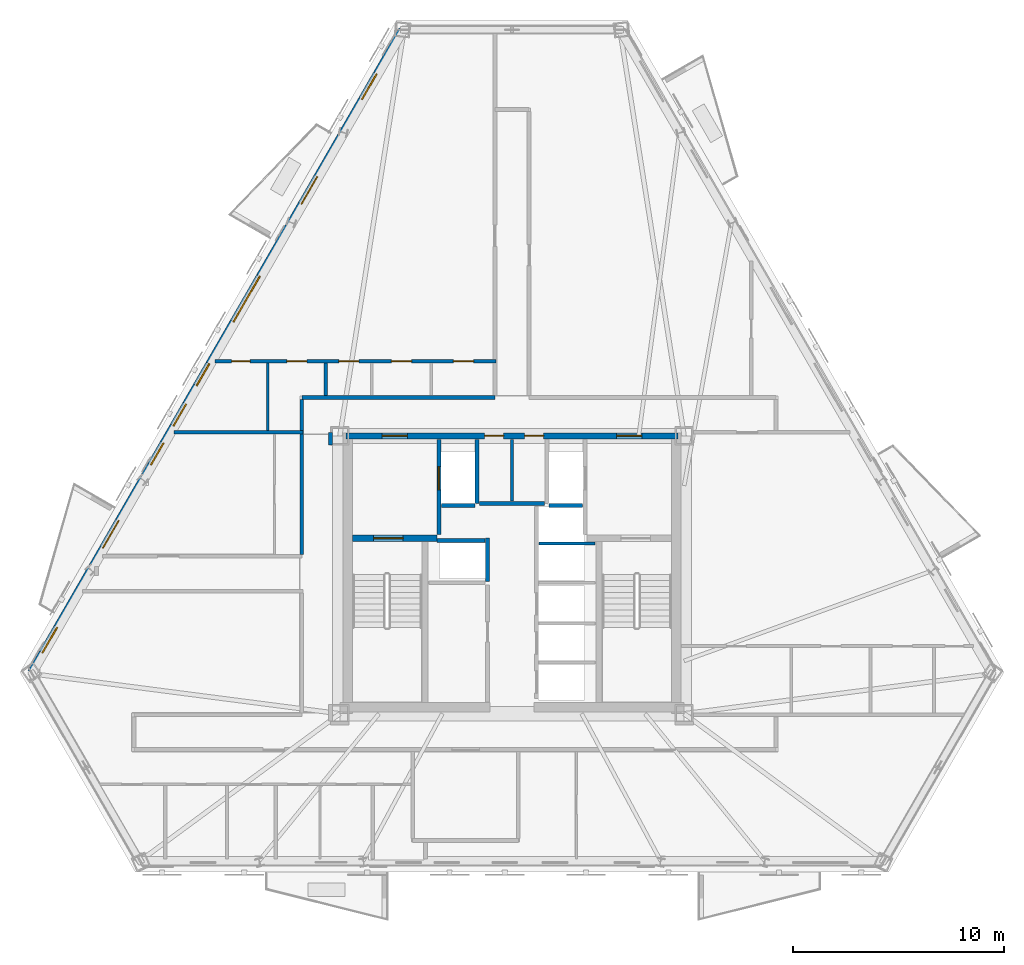
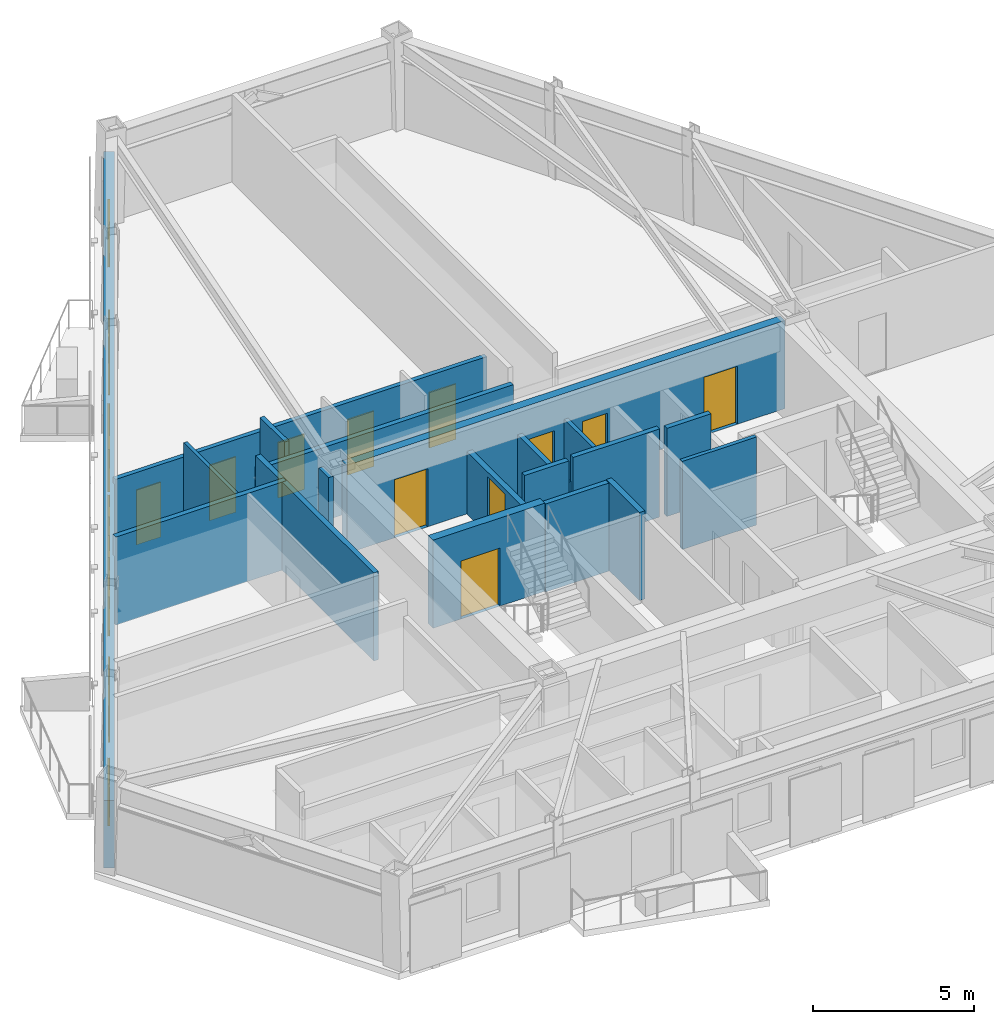
# One storey, part 4 of 9: 19 walls, 13 doors, 6 windows, 19 openings.
"""IFC4 building model written with IfcOpenShell, lengths in metres."""

from ifc_helpers import new_model, si_unit, direction, frame, frame_2d, origin, place, context, subcontext, project, spatial, rectangle, extrude, material, layer, layer_set, type_object, element, fill, save


model = new_model("IFC4")

# Units and contexts
model_context = context("Model", 3, precision=1e-05, world=origin(), true_north=direction((0.0, 1.0)))
body_context = subcontext(model_context, "Body", "Model", "MODEL_VIEW")
ifc_project = project(units=[si_unit("LENGTHUNIT", "METRE"), si_unit("AREAUNIT", "SQUARE_METRE"), si_unit("VOLUMEUNIT", "CUBIC_METRE"), si_unit("PLANEANGLEUNIT", "RADIAN"), si_unit("MASSUNIT", "GRAM", prefix="KILO")], contexts=[model_context])

# Site, building, storey
site_placement = place(None, origin())
site = spatial("IfcSite", under=ifc_project, at=site_placement, CompositionType="ELEMENT")
building_placement = place(site_placement, origin())
building = spatial("IfcBuilding", under=site, at=building_placement, Name="Oramaril Tower", CompositionType="ELEMENT")
storey_placement = place(building_placement, frame((0.0, 0.0, 130.199951171875)))
storey = spatial("IfcBuildingStorey", under=building, at=storey_placement, Name="L34", CompositionType="ELEMENT", Elevation=130.199951171875)

# Wall, openings, doors, windows
ifc_material_1 = material(Name="Warm Cream Limestone", Category="masonry")
ifc_layer_1 = layer(ifc_material_1, 0.340087890625)
ifc_layer_set_1 = layer_set([ifc_layer_1], Name="WT-EXT34")
wall_type_1 = type_object("IfcWallType", Name="WT-EXT34", PredefinedType="SOLIDWALL", material=ifc_layer_set_1)
wall_1_placement = place(storey_placement, frame((32.302734375, 43.378173828125, 0.0), z_axis=(0.0, 0.0, 1.0), x_axis=(-0.499999044439, -0.866025955477, 0.0)))
wall_1 = element("IfcWall", 1, at=wall_1_placement, inside=storey, type_object=wall_type_1, Name="L34 Tower Limestone Facade Wall 6M", PredefinedType="SOLIDWALL", context=body_context, shape_type="SweptSolid", body=[
    extrude(rectangle(XDim=35.12158203125, YDim=0.340087890625, at=frame_2d((17.560791015625, 0.0))), origin(), (0.0, 0.0, 1.0), 2.55810546875),
])
opening_1_placement = place(wall_1_placement, frame((8.034423828125, 0.0, 0.0)))
opening_1 = element("IfcOpeningElement", 2, at=opening_1_placement, cuts=wall_1, Name="Opening D-L34-BAL-NW1", PredefinedType="OPENING", context=body_context, shape_type="SweptSolid", body=[
    extrude(rectangle(XDim=1.5, YDim=2.199951171875, at=frame_2d((0.75, 1.10009765625))), frame((0.0, 0.169921875, 0.0), z_axis=(0.0, -1.0, 0.0), x_axis=(1.0, 0.0, 0.0)), (0.0, 0.0, 1.0), 0.340087890625),
])
opening_2_placement = place(wall_1_placement, frame((26.832275390625, 0.0, 0.0)))
opening_2 = element("IfcOpeningElement", 3, at=opening_2_placement, cuts=wall_1, Name="Opening D-L34-BAL-NW2", PredefinedType="OPENING", context=body_context, shape_type="SweptSolid", body=[
    extrude(rectangle(XDim=1.5, YDim=2.199951171875, at=frame_2d((0.75, 1.10009765625))), frame((0.0, 0.169921875, 0.0), z_axis=(0.0, -1.0, 0.0), x_axis=(1.0, 0.0, 0.0)), (0.0, 0.0, 1.0), 0.340087890625),
])
opening_3_placement = place(wall_1_placement, frame((32.66552734375, 0.0, 0.85009765625)))
opening_3 = element("IfcOpeningElement", 4, at=opening_3_placement, cuts=wall_1, Name="Opening WN-08", PredefinedType="OPENING", context=body_context, shape_type="SweptSolid", body=[
    extrude(rectangle(XDim=1.39990234375, YDim=1.597900390625, at=frame_2d((0.699951171875, 0.798828125))), frame((0.0, 0.169921875, 0.0), z_axis=(0.0, -1.0, 0.0), x_axis=(1.0, 0.0, 0.0)), (0.0, 0.0, 1.0), 0.340087890625),
])
opening_4_placement = place(wall_1_placement, frame((22.592529296875, 0.0, 0.85009765625)))
opening_4 = element("IfcOpeningElement", 5, at=opening_4_placement, cuts=wall_1, Name="Opening WN-09", PredefinedType="OPENING", context=body_context, shape_type="SweptSolid", body=[
    extrude(rectangle(XDim=1.199951171875, YDim=1.47998046875, at=frame_2d((0.60009765625, 0.739990234375))), frame((0.0, 0.169921875, 0.0), z_axis=(0.0, -1.0, 0.0), x_axis=(1.0, 0.0, 0.0)), (0.0, 0.0, 1.0), 0.340087890625),
])
opening_5_placement = place(wall_1_placement, frame((2.41259765625, 0.0, 0.85009765625)))
opening_5 = element("IfcOpeningElement", 6, at=opening_5_placement, cuts=wall_1, Name="Opening WN-08", PredefinedType="OPENING", context=body_context, shape_type="SweptSolid", body=[
    extrude(rectangle(XDim=1.39990234375, YDim=1.597900390625, at=frame_2d((0.699951171875, 0.798828125))), frame((0.0, 0.169921875, 0.0), z_axis=(0.0, -1.0, 0.0), x_axis=(1.0, 0.0, 0.0)), (0.0, 0.0, 1.0), 0.340087890625),
])
opening_6_placement = place(wall_1_placement, frame((13.47607421875, 0.0, 0.85009765625)))
opening_6 = element("IfcOpeningElement", 7, at=opening_6_placement, cuts=wall_1, Name="Opening WN-11", PredefinedType="OPENING", context=body_context, shape_type="SweptSolid", body=[
    extrude(rectangle(XDim=2.5, YDim=1.597900390625, at=frame_2d((1.25, 0.798828125))), frame((0.0, 0.169921875, 0.0), z_axis=(0.0, -1.0, 0.0), x_axis=(1.0, 0.0, 0.0)), (0.0, 0.0, 1.0), 0.340087890625),
])
opening_7_placement = place(wall_1_placement, frame((18.25927734375, 0.0, 0.85009765625)))
opening_7 = element("IfcOpeningElement", 8, at=opening_7_placement, cuts=wall_1, Name="Opening WN-09", PredefinedType="OPENING", context=body_context, shape_type="SweptSolid", body=[
    extrude(rectangle(XDim=1.199951171875, YDim=1.47998046875, at=frame_2d((0.60009765625, 0.739990234375))), frame((0.0, 0.169921875, 0.0), z_axis=(0.0, -1.0, 0.0), x_axis=(1.0, 0.0, 0.0)), (0.0, 0.0, 1.0), 0.340087890625),
])
opening_8_placement = place(wall_1_placement, frame((20.45458984375, 0.0, 0.85009765625)))
opening_8 = element("IfcOpeningElement", 9, at=opening_8_placement, cuts=wall_1, Name="Opening WN-09", PredefinedType="OPENING", context=body_context, shape_type="SweptSolid", body=[
    extrude(rectangle(XDim=1.199951171875, YDim=1.47998046875, at=frame_2d((0.60009765625, 0.739990234375))), frame((0.0, 0.169921875, 0.0), z_axis=(0.0, -1.0, 0.0), x_axis=(1.0, 0.0, 0.0)), (0.0, 0.0, 1.0), 0.340087890625),
])
ifc_material_2 = material(Name="Anodised Aluminium 6063-T6", Category="aluminium")
door_type_1 = type_object("IfcDoorType", Name="DT-BAL", OperationType="NOTDEFINED", PredefinedType="DOOR", material=ifc_material_2)
door_1_placement = place(opening_1_placement, origin())
door_1 = element("IfcDoor", 10, at=door_1_placement, inside=storey, type_object=door_type_1, Name="L34 Balcony Glazed Door L34-BAL-NW1", OperationType="SINGLE_SWING_LEFT", OverallHeight=2.199951171875, OverallWidth=1.5, PredefinedType="DOOR", context=body_context, shape_type="SweptSolid", body=[
    extrude(rectangle(XDim=1.5, YDim=2.199951171875, at=frame_2d((0.75, 1.10009765625))), frame((0.0, 0.02490234375, 0.0), z_axis=(0.0, -1.0, 0.0), x_axis=(1.0, 0.0, 0.0)), (0.0, 0.0, 1.0), 0.050048828125),
])
fill(opening_1, door_1)
door_2_placement = place(opening_2_placement, origin())
door_2 = element("IfcDoor", 11, at=door_2_placement, inside=storey, type_object=door_type_1, Name="L34 Balcony Glazed Door L34-BAL-NW2", OperationType="SINGLE_SWING_RIGHT", OverallHeight=2.199951171875, OverallWidth=1.5, PredefinedType="DOOR", context=body_context, shape_type="SweptSolid", body=[
    extrude(rectangle(XDim=1.5, YDim=2.199951171875, at=frame_2d((0.75, 1.10009765625))), frame((0.0, 0.02490234375, 0.0), z_axis=(0.0, -1.0, 0.0), x_axis=(1.0, 0.0, 0.0)), (0.0, 0.0, 1.0), 0.050048828125),
])
fill(opening_2, door_2)
ifc_material_3 = material(Name="Coastal Low-E Insulated Glass", Category="glass")
window_type_1 = type_object("IfcWindowType", Name="WNT-08", PartitioningType="SINGLE_PANEL", PredefinedType="WINDOW", material=ifc_material_3)
window_1_placement = place(opening_3_placement, origin())
window_1 = element("IfcWindow", 12, at=window_1_placement, inside=storey, type_object=window_type_1, Name="L34 Chicago Bay Window WN-08", OverallHeight=1.597900390625, OverallWidth=1.39990234375, PartitioningType="SINGLE_PANEL", PredefinedType="WINDOW", context=body_context, shape_type="SweptSolid", body=[
    extrude(rectangle(XDim=1.39990234375, YDim=1.597900390625, at=frame_2d((0.699951171875, 0.798828125))), frame((0.0, 0.030029296875, 0.0), z_axis=(0.0, -1.0, 0.0), x_axis=(1.0, 0.0, 0.0)), (0.0, 0.0, 1.0), 0.06005859375),
])
fill(opening_3, window_1)
window_2_placement = place(opening_5_placement, origin())
window_2 = element("IfcWindow", 13, at=window_2_placement, inside=storey, type_object=window_type_1, Name="L34 Chicago Bay Window WN-08", OverallHeight=1.597900390625, OverallWidth=1.39990234375, PartitioningType="SINGLE_PANEL", PredefinedType="WINDOW", context=body_context, shape_type="SweptSolid", body=[
    extrude(rectangle(XDim=1.39990234375, YDim=1.597900390625, at=frame_2d((0.699951171875, 0.798828125))), frame((0.0, 0.030029296875, 0.0), z_axis=(0.0, -1.0, 0.0), x_axis=(1.0, 0.0, 0.0)), (0.0, 0.0, 1.0), 0.06005859375),
])
fill(opening_5, window_2)
ifc_material_4 = material(Name="Coastal Low-E Insulated Glass", Category="glass")
window_type_2 = type_object("IfcWindowType", Name="WNT-09", PartitioningType="SINGLE_PANEL", PredefinedType="WINDOW", material=ifc_material_4)
window_3_placement = place(opening_4_placement, origin())
window_3 = element("IfcWindow", 14, at=window_3_placement, inside=storey, type_object=window_type_2, Name="L34 Chicago Bay Window WN-09", OverallHeight=1.47998046875, OverallWidth=1.199951171875, PartitioningType="SINGLE_PANEL", PredefinedType="WINDOW", context=body_context, shape_type="SweptSolid", body=[
    extrude(rectangle(XDim=1.199951171875, YDim=1.47998046875, at=frame_2d((0.60009765625, 0.739990234375))), frame((0.0, 0.030029296875, 0.0), z_axis=(0.0, -1.0, 0.0), x_axis=(1.0, 0.0, 0.0)), (0.0, 0.0, 1.0), 0.06005859375),
])
fill(opening_4, window_3)
window_4_placement = place(opening_7_placement, origin())
window_4 = element("IfcWindow", 15, at=window_4_placement, inside=storey, type_object=window_type_2, Name="L34 Chicago Bay Window WN-09", OverallHeight=1.47998046875, OverallWidth=1.199951171875, PartitioningType="SINGLE_PANEL", PredefinedType="WINDOW", context=body_context, shape_type="SweptSolid", body=[
    extrude(rectangle(XDim=1.199951171875, YDim=1.47998046875, at=frame_2d((0.60009765625, 0.739990234375))), frame((0.0, 0.030029296875, 0.0), z_axis=(0.0, -1.0, 0.0), x_axis=(1.0, 0.0, 0.0)), (0.0, 0.0, 1.0), 0.06005859375),
])
fill(opening_7, window_4)
window_5_placement = place(opening_8_placement, origin())
window_5 = element("IfcWindow", 16, at=window_5_placement, inside=storey, type_object=window_type_2, Name="L34 Chicago Bay Window WN-09", OverallHeight=1.47998046875, OverallWidth=1.199951171875, PartitioningType="SINGLE_PANEL", PredefinedType="WINDOW", context=body_context, shape_type="SweptSolid", body=[
    extrude(rectangle(XDim=1.199951171875, YDim=1.47998046875, at=frame_2d((0.60009765625, 0.739990234375))), frame((0.0, 0.030029296875, 0.0), z_axis=(0.0, -1.0, 0.0), x_axis=(1.0, 0.0, 0.0)), (0.0, 0.0, 1.0), 0.06005859375),
])
fill(opening_8, window_5)
ifc_material_5 = material(Name="Coastal Low-E Insulated Glass", Category="glass")
window_type_3 = type_object("IfcWindowType", Name="WNT-11", PartitioningType="SINGLE_PANEL", PredefinedType="WINDOW", material=ifc_material_5)
window_6_placement = place(opening_6_placement, origin())
window_6 = element("IfcWindow", 17, at=window_6_placement, inside=storey, type_object=window_type_3, Name="L34 Chicago Bay Window WN-11", OverallHeight=1.597900390625, OverallWidth=2.5, PartitioningType="SINGLE_PANEL", PredefinedType="WINDOW", context=body_context, shape_type="SweptSolid", body=[
    extrude(rectangle(XDim=2.5, YDim=1.597900390625, at=frame_2d((1.25, 0.798828125))), frame((0.0, 0.030029296875, 0.0), z_axis=(0.0, -1.0, 0.0), x_axis=(1.0, 0.0, 0.0)), (0.0, 0.0, 1.0), 0.06005859375),
])
fill(opening_6, window_6)

# Walls
ifc_material_6 = material(Name="Acoustic Gypsum Board Partition")
ifc_layer_2 = layer(ifc_material_6, 0.1201171875)
ifc_layer_set_2 = layer_set([ifc_layer_2], Name="WT-PT12")
wall_type_2 = type_object("IfcWallType", Name="WT-PT12", PredefinedType="PARTITIONING", material=ifc_layer_set_2)
wall_2_placement = place(storey_placement, frame((25.93994140625, 24.4140625, 0.0), z_axis=(0.0, 0.0, 1.0), x_axis=(0.0, 1.0, 0.0)))
element("IfcWall", 18, at=wall_2_placement, inside=storey, type_object=wall_type_2, Name="L34 Interior Partition PT-12", PredefinedType="PARTITIONING", context=body_context, shape_type="SweptSolid", body=[
    extrude(rectangle(XDim=3.19189453125, YDim=0.1201171875, at=frame_2d((1.595947265625, 0.0))), origin(), (0.0, 0.0, 1.0), 3.340087890625),
])
ifc_material_7 = material(Name="Acoustic Gypsum Board Partition")
ifc_layer_3 = layer(ifc_material_7, 0.139892578125)
ifc_layer_set_3 = layer_set([ifc_layer_3], Name="WT-PT14")
wall_type_3 = type_object("IfcWallType", Name="WT-PT14", PredefinedType="PARTITIONING", material=ifc_layer_set_3)
wall_3_placement = place(storey_placement, frame((38.780029296875, 19.050048828125, 0.0), z_axis=(0.0, 0.0, 1.0), x_axis=(1.0, 0.0, 0.0)))
element("IfcWall", 19, at=wall_3_placement, inside=storey, type_object=wall_type_3, Name="L34 East Lift Divider", PredefinedType="PARTITIONING", context=body_context, shape_type="SweptSolid", body=[
    extrude(rectangle(XDim=2.659912109375, YDim=0.139892578125, at=frame_2d((1.330078125, 0.0))), origin(), (0.0, 0.0, 1.0), 3.340087890625),
])
wall_4_placement = place(storey_placement, frame((37.5, 21.06005859375, 0.0), z_axis=(0.0, 0.0, 1.0), x_axis=(0.0, 1.0, 0.0)))
element("IfcWall", 20, at=wall_4_placement, inside=storey, type_object=wall_type_3, Name="L34 Core Service Divider", PredefinedType="PARTITIONING", context=body_context, shape_type="SweptSolid", body=[
    extrude(rectangle(XDim=2.919921875, YDim=0.139892578125, at=frame_2d((1.4599609375, 0.0))), origin(), (0.0, 0.0, 1.0), 2.380126953125),
])

# Wall, openings, doors
ifc_material_8 = material(Name="Acoustic Gypsum Board Partition")
ifc_layer_4 = layer(ifc_material_8, 0.159912109375)
ifc_layer_set_4 = layer_set([ifc_layer_4], Name="WT-PT16")
wall_type_4 = type_object("IfcWallType", Name="WT-PT16", PredefinedType="PARTITIONING", material=ifc_layer_set_4)
wall_5_placement = place(storey_placement, frame((23.446044921875, 27.68994140625, 0.0), z_axis=(0.0, 0.0, 1.0), x_axis=(1.0, 0.0, 0.0)))
wall_5 = element("IfcWall", 21, at=wall_5_placement, inside=storey, type_object=wall_type_4, Name="L34 Interior Partition PT-16", PredefinedType="PARTITIONING", context=body_context, shape_type="SweptSolid", body=[
    extrude(rectangle(XDim=13.303955078125, YDim=0.159912109375, at=frame_2d((6.65185546875, 0.0))), origin(), (0.0, 0.0, 1.0), 2.7939453125),
])
opening_9_placement = place(wall_5_placement, frame((0.77734375, 0.0, 0.0)))
opening_9 = element("IfcOpeningElement", 22, at=opening_9_placement, cuts=wall_5, Name="Opening D-L34-16", PredefinedType="OPENING", context=body_context, shape_type="SweptSolid", body=[
    extrude(rectangle(XDim=0.8798828125, YDim=2.080078125, at=frame_2d((0.43994140625, 1.0400390625))), frame((0.0, 0.080078125, 0.0), z_axis=(0.0, -1.0, 0.0), x_axis=(1.0, 0.0, 0.0)), (0.0, 0.0, 1.0), 0.159912109375),
])
opening_10_placement = place(wall_5_placement, frame((3.394287109375, 0.0, 0.0)))
opening_10 = element("IfcOpeningElement", 23, at=opening_10_placement, cuts=wall_5, Name="Opening D-L34-17", PredefinedType="OPENING", context=body_context, shape_type="SweptSolid", body=[
    extrude(rectangle(XDim=0.949951171875, YDim=2.10009765625, at=frame_2d((0.47509765625, 1.050048828125))), frame((0.0, 0.080078125, 0.0), z_axis=(0.0, -1.0, 0.0), x_axis=(1.0, 0.0, 0.0)), (0.0, 0.0, 1.0), 0.159912109375),
])
opening_11_placement = place(wall_5_placement, frame((5.856689453125, 0.0, 0.0)))
opening_11 = element("IfcOpeningElement", 24, at=opening_11_placement, cuts=wall_5, Name="Opening D-L34-18", PredefinedType="OPENING", context=body_context, shape_type="SweptSolid", body=[
    extrude(rectangle(XDim=0.949951171875, YDim=2.10009765625, at=frame_2d((0.47509765625, 1.050048828125))), frame((0.0, 0.080078125, 0.0), z_axis=(0.0, -1.0, 0.0), x_axis=(1.0, 0.0, 0.0)), (0.0, 0.0, 1.0), 0.159912109375),
])
opening_12_placement = place(wall_5_placement, frame((8.34814453125, 0.0, 0.0)))
opening_12 = element("IfcOpeningElement", 25, at=opening_12_placement, cuts=wall_5, Name="Opening D-L34-19", PredefinedType="OPENING", context=body_context, shape_type="SweptSolid", body=[
    extrude(rectangle(XDim=0.949951171875, YDim=2.10009765625, at=frame_2d((0.47509765625, 1.050048828125))), frame((0.0, 0.080078125, 0.0), z_axis=(0.0, -1.0, 0.0), x_axis=(1.0, 0.0, 0.0)), (0.0, 0.0, 1.0), 0.159912109375),
])
opening_13_placement = place(wall_5_placement, frame((11.28173828125, 0.0, 0.0)))
opening_13 = element("IfcOpeningElement", 26, at=opening_13_placement, cuts=wall_5, Name="Opening D-L34-20", PredefinedType="OPENING", context=body_context, shape_type="SweptSolid", body=[
    extrude(rectangle(XDim=0.949951171875, YDim=2.10009765625, at=frame_2d((0.47509765625, 1.050048828125))), frame((0.0, 0.080078125, 0.0), z_axis=(0.0, -1.0, 0.0), x_axis=(1.0, 0.0, 0.0)), (0.0, 0.0, 1.0), 0.159912109375),
])
ifc_material_9 = material(Name="FSC Brazilian Freijo Hardwood", Category="wood")
door_type_2 = type_object("IfcDoorType", Name="DT-BATH", OperationType="NOTDEFINED", PredefinedType="DOOR", material=ifc_material_9)
door_3_placement = place(opening_9_placement, origin())
door_3 = element("IfcDoor", 27, at=door_3_placement, inside=storey, type_object=door_type_2, Name="L34 Flat L34-U5 Bathroom Door D-L34-16", OperationType="SINGLE_SWING_RIGHT", OverallHeight=2.080078125, OverallWidth=0.8798828125, PredefinedType="DOOR", context=body_context, shape_type="SweptSolid", body=[
    extrude(rectangle(XDim=0.8798828125, YDim=2.080078125, at=frame_2d((0.43994140625, 1.0400390625))), frame((0.0, 0.02490234375, 0.0), z_axis=(0.0, -1.0, 0.0), x_axis=(1.0, 0.0, 0.0)), (0.0, 0.0, 1.0), 0.050048828125),
])
fill(opening_9, door_3)
ifc_material_10 = material(Name="FSC Brazilian Freijo Hardwood", Category="wood")
door_type_3 = type_object("IfcDoorType", Name="DT-STDY", OperationType="NOTDEFINED", PredefinedType="DOOR", material=ifc_material_10)
door_4_placement = place(opening_10_placement, origin())
door_4 = element("IfcDoor", 28, at=door_4_placement, inside=storey, type_object=door_type_3, Name="L34 Flat L34-U5 Kitchen Door D-L34-17", OperationType="SINGLE_SWING_LEFT", OverallHeight=2.10009765625, OverallWidth=0.949951171875, PredefinedType="DOOR", context=body_context, shape_type="SweptSolid", body=[
    extrude(rectangle(XDim=0.949951171875, YDim=2.10009765625, at=frame_2d((0.47509765625, 1.050048828125))), frame((0.0, 0.02490234375, 0.0), z_axis=(0.0, -1.0, 0.0), x_axis=(1.0, 0.0, 0.0)), (0.0, 0.0, 1.0), 0.050048828125),
])
fill(opening_10, door_4)
door_5_placement = place(opening_11_placement, origin())
door_5 = element("IfcDoor", 29, at=door_5_placement, inside=storey, type_object=door_type_3, Name="L34 Flat L34-U5 Dining Alcove Door D-L34-18", OperationType="SINGLE_SWING_RIGHT", OverallHeight=2.10009765625, OverallWidth=0.949951171875, PredefinedType="DOOR", context=body_context, shape_type="SweptSolid", body=[
    extrude(rectangle(XDim=0.949951171875, YDim=2.10009765625, at=frame_2d((0.47509765625, 1.050048828125))), frame((0.0, 0.02490234375, 0.0), z_axis=(0.0, -1.0, 0.0), x_axis=(1.0, 0.0, 0.0)), (0.0, 0.0, 1.0), 0.050048828125),
])
fill(opening_11, door_5)
door_6_placement = place(opening_12_placement, origin())
door_6 = element("IfcDoor", 30, at=door_6_placement, inside=storey, type_object=door_type_3, Name="L34 Flat L34-U5 Breakfast Dining Room Door D-L34-19", OperationType="SINGLE_SWING_LEFT", OverallHeight=2.10009765625, OverallWidth=0.949951171875, PredefinedType="DOOR", context=body_context, shape_type="SweptSolid", body=[
    extrude(rectangle(XDim=0.949951171875, YDim=2.10009765625, at=frame_2d((0.47509765625, 1.050048828125))), frame((0.0, 0.02490234375, 0.0), z_axis=(0.0, -1.0, 0.0), x_axis=(1.0, 0.0, 0.0)), (0.0, 0.0, 1.0), 0.050048828125),
])
fill(opening_12, door_6)
door_7_placement = place(opening_13_placement, origin())
door_7 = element("IfcDoor", 31, at=door_7_placement, inside=storey, type_object=door_type_3, Name="L34 Flat L34-U5 Breakfast Dining Room Door D-L34-20", OperationType="SINGLE_SWING_RIGHT", OverallHeight=2.10009765625, OverallWidth=0.949951171875, PredefinedType="DOOR", context=body_context, shape_type="SweptSolid", body=[
    extrude(rectangle(XDim=0.949951171875, YDim=2.10009765625, at=frame_2d((0.47509765625, 1.050048828125))), frame((0.0, 0.02490234375, 0.0), z_axis=(0.0, -1.0, 0.0), x_axis=(1.0, 0.0, 0.0)), (0.0, 0.0, 1.0), 0.050048828125),
])
fill(opening_13, door_7)

# Walls
wall_6_placement = place(storey_placement, frame((28.68994140625, 26.06396484375, 0.0), z_axis=(0.0, 0.0, 1.0), x_axis=(0.0, 1.0, 0.0)))
element("IfcWall", 32, at=wall_6_placement, inside=storey, type_object=wall_type_4, Name="L34 Interior Partition PT-16", PredefinedType="PARTITIONING", context=body_context, shape_type="SweptSolid", body=[
    extrude(rectangle(XDim=1.5419921875, YDim=0.159912109375, at=frame_2d((0.77099609375, 0.0))), origin(), (0.0, 0.0, 1.0), 3.340087890625),
])
ifc_material_11 = material(Name="Autoclaved Cellular Concrete Block", Category="concrete")
ifc_layer_5 = layer(ifc_material_11, 0.179931640625)
ifc_layer_set_5 = layer_set([ifc_layer_5], Name="WT-PT18")
wall_type_5 = type_object("IfcWallType", Name="WT-PT18", PredefinedType="PARTITIONING", material=ifc_layer_set_5)
wall_7_placement = place(storey_placement, frame((35.840087890625, 20.9599609375, 0.0), z_axis=(0.0, 0.0, 1.0), x_axis=(0.0, 1.0, 0.0)))
element("IfcWall", 33, at=wall_7_placement, inside=storey, type_object=wall_type_5, Name="L34 FL-1 East Shaft Wall", PredefinedType="PARTITIONING", context=body_context, shape_type="SweptSolid", body=[
    extrude(rectangle(XDim=3.02001953125, YDim=0.179931640625, at=frame_2d((1.510009765625, 0.0))), origin(), (0.0, 0.0, 1.0), 2.380126953125),
])
for number, where, z_axis, x_axis, name in (
    (34, (34.159912109375, 20.860107421875, 0.0), (0.0, 0.0, 1.0), (1.0, 0.0, 0.0), "L34 FL-1 South Shaft Wall"),
    (35, (39.260009765625, 20.860107421875, 0.0), (0.0, 0.0, 1.0), (1.0, 0.0, 0.0), "L34 FL-2 South Shaft Wall"),
):
    element("IfcWall", number, at=place(storey_placement, frame(where, z_axis=z_axis, x_axis=x_axis)), inside=storey, type_object=wall_type_5, Name=name, PredefinedType="PARTITIONING", context=body_context, shape_type="SweptSolid", body=[
        extrude(rectangle(XDim=1.580078125, YDim=0.179931640625, at=frame_2d((0.7900390625, 0.0))), origin(), (0.0, 0.0, 1.0), 3.340087890625),
    ])
wall_8_placement = place(storey_placement, frame((33.949951171875, 19.199951171875, 0.0), z_axis=(0.0, 0.0, 1.0), x_axis=(1.0, 0.0, 0.0)))
element("IfcWall", 36, at=wall_8_placement, inside=storey, type_object=wall_type_5, Name="L34 High-Rise Lift H1 North Shaft Wall", PredefinedType="PARTITIONING", context=body_context, shape_type="SweptSolid", body=[
    extrude(rectangle(XDim=2.27001953125, YDim=0.179931640625, at=frame_2d((1.135009765625, 0.0))), origin(), (0.0, 0.0, 1.0), 3.340087890625),
])
wall_9_placement = place(storey_placement, frame((35.949951171875, 20.949951171875, 0.0), z_axis=(0.0, 0.0, 1.0), x_axis=(1.0, 0.0, 0.0)))
element("IfcWall", 37, at=wall_9_placement, inside=storey, type_object=wall_type_5, Name="L34 Lift Lobby North Partition", PredefinedType="PARTITIONING", context=body_context, shape_type="SweptSolid", body=[
    extrude(rectangle(XDim=3.10009765625, YDim=0.179931640625, at=frame_2d((1.550048828125, 0.0))), origin(), (0.0, 0.0, 1.0), 3.340087890625),
])
wall_10_placement = place(storey_placement, frame((21.50048828125, 24.320068359375, 0.0), z_axis=(0.0, 0.0, 1.0), x_axis=(1.0, 0.0, 0.0)))
element("IfcWall", 38, at=wall_10_placement, inside=storey, type_object=wall_type_5, Name="L34 Interior Partition PT-18", PredefinedType="PARTITIONING", context=body_context, shape_type="SweptSolid", body=[
    extrude(rectangle(XDim=6.109619140625, YDim=0.179931640625, at=frame_2d((3.0546875, 0.0))), origin(), (0.0, 0.0, 1.0), 3.340087890625),
])
wall_11_placement = place(storey_placement, frame((27.550048828125, 25.969970703125, 0.0), z_axis=(0.0, 0.0, 1.0), x_axis=(1.0, 0.0, 0.0)))
element("IfcWall", 39, at=wall_11_placement, inside=storey, type_object=wall_type_5, Name="L34 Interior Partition PT-18", PredefinedType="PARTITIONING", context=body_context, shape_type="SweptSolid", body=[
    extrude(rectangle(XDim=9.14990234375, YDim=0.179931640625, at=frame_2d((4.574951171875, 0.0))), origin(), (0.0, 0.0, 1.0), 2.7939453125),
])
wall_12_placement = place(storey_placement, frame((27.550048828125, 18.5439453125, 0.0), z_axis=(0.0, 0.0, 1.0), x_axis=(0.0, 1.0, 0.0)))
element("IfcWall", 40, at=wall_12_placement, inside=storey, type_object=wall_type_5, Name="L34 Interior Partition PT-18", PredefinedType="PARTITIONING", context=body_context, shape_type="SweptSolid", body=[
    extrude(rectangle(XDim=7.33203125, YDim=0.179931640625, at=frame_2d((3.666015625, 0.0))), origin(), (0.0, 0.0, 1.0), 3.340087890625),
])
wall_13_placement = place(storey_placement, frame((28.909912109375, 23.7099609375, 0.0), z_axis=(0.0, 0.0, 1.0), x_axis=(0.0, 1.0, 0.0)))
element("IfcWall", 41, at=wall_13_placement, inside=storey, type_object=wall_type_5, Name="L34 Interior Partition PT-18", PredefinedType="PARTITIONING", context=body_context, shape_type="SweptSolid", body=[
    extrude(rectangle(XDim=0.610107421875, YDim=0.179931640625, at=frame_2d((0.30517578125, 0.0))), origin(), (0.0, 0.0, 1.0), 3.340087890625),
])

# Wall, openings, doors
ifc_material_12 = material(Name="Concrete C50/60", Category="concrete")
ifc_layer_6 = layer(ifc_material_12, 0.300048828125)
ifc_layer_set_6 = layer_set([ifc_layer_6], Name="WT-SH30")
wall_type_6 = type_object("IfcWallType", Name="WT-SH30", PredefinedType="SHEAR", material=ifc_layer_set_6)
wall_14_placement = place(storey_placement, frame((29.64990234375, 24.14990234375, 0.0), z_axis=(0.0, 0.0, 1.0), x_axis=(1.0, 0.0, 0.0)))
wall_14 = element("IfcWall", 42, at=wall_14_placement, inside=storey, type_object=wall_type_6, Name="L34 Core Shear Wall CW-N", PredefinedType="SHEAR", context=body_context, shape_type="SweptSolid", body=[
    extrude(rectangle(XDim=15.7001953125, YDim=0.300048828125, at=frame_2d((7.85009765625, 0.0))), origin(), (0.0, 0.0, 1.0), 3.340087890625),
])
opening_14_placement = place(wall_14_placement, frame((1.699951171875, 0.0, 0.0)))
opening_14 = element("IfcOpeningElement", 43, at=opening_14_placement, cuts=wall_14, Name="Opening D-L34-FFL1", PredefinedType="OPENING", context=body_context, shape_type="SweptSolid", body=[
    extrude(rectangle(XDim=1.199951171875, YDim=2.199951171875, at=frame_2d((0.60009765625, 1.10009765625))), frame((0.0, 0.14990234375, 0.0), z_axis=(0.0, -1.0, 0.0), x_axis=(1.0, 0.0, 0.0)), (0.0, 0.0, 1.0), 0.300048828125),
])
opening_15_placement = place(wall_14_placement, frame((12.800048828125, 0.0, 0.0)))
opening_15 = element("IfcOpeningElement", 44, at=opening_15_placement, cuts=wall_14, Name="Opening D-L34-FFL2", PredefinedType="OPENING", context=body_context, shape_type="SweptSolid", body=[
    extrude(rectangle(XDim=1.199951171875, YDim=2.199951171875, at=frame_2d((0.60009765625, 1.10009765625))), frame((0.0, 0.14990234375, 0.0), z_axis=(0.0, -1.0, 0.0), x_axis=(1.0, 0.0, 0.0)), (0.0, 0.0, 1.0), 0.300048828125),
])
opening_16_placement = place(wall_14_placement, frame((6.550048828125, 0.0, 0.0)))
opening_16 = element("IfcOpeningElement", 45, at=opening_16_placement, cuts=wall_14, Name="Opening D-L34-SV1", PredefinedType="OPENING", context=body_context, shape_type="SweptSolid", body=[
    extrude(rectangle(XDim=0.89990234375, YDim=2.050048828125, at=frame_2d((0.449951171875, 1.02490234375))), frame((0.0, 0.14990234375, 0.0), z_axis=(0.0, -1.0, 0.0), x_axis=(1.0, 0.0, 0.0)), (0.0, 0.0, 1.0), 0.300048828125),
])
opening_17_placement = place(wall_14_placement, frame((8.449951171875, 0.0, 0.0)))
opening_17 = element("IfcOpeningElement", 46, at=opening_17_placement, cuts=wall_14, Name="Opening D-L34-SV2", PredefinedType="OPENING", context=body_context, shape_type="SweptSolid", body=[
    extrude(rectangle(XDim=0.89990234375, YDim=2.050048828125, at=frame_2d((0.449951171875, 1.02490234375))), frame((0.0, 0.14990234375, 0.0), z_axis=(0.0, -1.0, 0.0), x_axis=(1.0, 0.0, 0.0)), (0.0, 0.0, 1.0), 0.300048828125),
])
ifc_material_13 = material(Name="Painted Galvanised Steel", Category="steel")
door_type_4 = type_object("IfcDoorType", Name="DT-FFL", OperationType="NOTDEFINED", PredefinedType="DOOR", material=ifc_material_13)
door_8_placement = place(opening_14_placement, origin())
door_8 = element("IfcDoor", 47, at=door_8_placement, inside=storey, type_object=door_type_4, Name="L34 Firefighting Lobby 1 Fire Door", OperationType="SINGLE_SWING_LEFT", OverallHeight=2.199951171875, OverallWidth=1.199951171875, PredefinedType="DOOR", context=body_context, shape_type="SweptSolid", body=[
    extrude(rectangle(XDim=1.199951171875, YDim=2.199951171875, at=frame_2d((0.60009765625, 1.10009765625))), frame((0.0, 0.02490234375, 0.0), z_axis=(0.0, -1.0, 0.0), x_axis=(1.0, 0.0, 0.0)), (0.0, 0.0, 1.0), 0.050048828125),
])
fill(opening_14, door_8)
door_9_placement = place(opening_15_placement, origin())
door_9 = element("IfcDoor", 48, at=door_9_placement, inside=storey, type_object=door_type_4, Name="L34 Firefighting Lobby 2 Fire Door", OperationType="SINGLE_SWING_RIGHT", OverallHeight=2.199951171875, OverallWidth=1.199951171875, PredefinedType="DOOR", context=body_context, shape_type="SweptSolid", body=[
    extrude(rectangle(XDim=1.199951171875, YDim=2.199951171875, at=frame_2d((0.60009765625, 1.10009765625))), frame((0.0, 0.02490234375, 0.0), z_axis=(0.0, -1.0, 0.0), x_axis=(1.0, 0.0, 0.0)), (0.0, 0.0, 1.0), 0.050048828125),
])
fill(opening_15, door_9)
ifc_material_14 = material(Name="Painted Galvanised Steel", Category="steel")
door_type_5 = type_object("IfcDoorType", Name="DT-SVC", OperationType="NOTDEFINED", PredefinedType="DOOR", material=ifc_material_14)
door_10_placement = place(opening_16_placement, origin())
door_10 = element("IfcDoor", 49, at=door_10_placement, inside=storey, type_object=door_type_5, Name="L34 Core Service Store 1 Door", OperationType="SINGLE_SWING_LEFT", OverallHeight=2.050048828125, OverallWidth=0.89990234375, PredefinedType="DOOR", context=body_context, shape_type="SweptSolid", body=[
    extrude(rectangle(XDim=0.89990234375, YDim=2.050048828125, at=frame_2d((0.449951171875, 1.02490234375))), frame((0.0, 0.02490234375, 0.0), z_axis=(0.0, -1.0, 0.0), x_axis=(1.0, 0.0, 0.0)), (0.0, 0.0, 1.0), 0.050048828125),
])
fill(opening_16, door_10)
door_11_placement = place(opening_17_placement, origin())
door_11 = element("IfcDoor", 50, at=door_11_placement, inside=storey, type_object=door_type_5, Name="L34 Core Service Store 2 Door", OperationType="SINGLE_SWING_RIGHT", OverallHeight=2.050048828125, OverallWidth=0.89990234375, PredefinedType="DOOR", context=body_context, shape_type="SweptSolid", body=[
    extrude(rectangle(XDim=0.89990234375, YDim=2.050048828125, at=frame_2d((0.449951171875, 1.02490234375))), frame((0.0, 0.02490234375, 0.0), z_axis=(0.0, -1.0, 0.0), x_axis=(1.0, 0.0, 0.0)), (0.0, 0.0, 1.0), 0.050048828125),
])
fill(opening_17, door_11)

# Wall, opening, door
wall_15_placement = place(storey_placement, frame((29.93994140625, 19.31005859375, 0.0), z_axis=(0.0, 0.0, 1.0), x_axis=(1.0, 0.0, 0.0)))
wall_15 = element("IfcWall", 51, at=wall_15_placement, inside=storey, type_object=wall_type_6, Name="L34 Core Shear Wall CW-ST1N", PredefinedType="SHEAR", context=body_context, shape_type="SweptSolid", body=[
    extrude(rectangle(XDim=4.010009765625, YDim=0.300048828125, at=frame_2d((2.0048828125, 0.0))), origin(), (0.0, 0.0, 1.0), 3.340087890625),
])
opening_18_placement = place(wall_15_placement, frame((1.010009765625, 0.0, 0.0)))
opening_18 = element("IfcOpeningElement", 52, at=opening_18_placement, cuts=wall_15, Name="Opening D-L34-ST1", PredefinedType="OPENING", context=body_context, shape_type="SweptSolid", body=[
    extrude(rectangle(XDim=1.39990234375, YDim=2.199951171875, at=frame_2d((0.699951171875, 1.10009765625))), frame((0.0, 0.14990234375, 0.0), z_axis=(0.0, -1.0, 0.0), x_axis=(1.0, 0.0, 0.0)), (0.0, 0.0, 1.0), 0.300048828125),
])
ifc_material_15 = material(Name="Painted Galvanised Steel", Category="steel")
door_type_6 = type_object("IfcDoorType", Name="DT-ST", OperationType="NOTDEFINED", PredefinedType="DOOR", material=ifc_material_15)
door_12_placement = place(opening_18_placement, origin())
door_12 = element("IfcDoor", 53, at=door_12_placement, inside=storey, type_object=door_type_6, Name="L34 Protected Stair ST-1 Fire Door", OperationType="SINGLE_SWING_LEFT", OverallHeight=2.199951171875, OverallWidth=1.39990234375, PredefinedType="DOOR", context=body_context, shape_type="SweptSolid", body=[
    extrude(rectangle(XDim=1.39990234375, YDim=2.199951171875, at=frame_2d((0.699951171875, 1.10009765625))), frame((0.0, 0.02490234375, 0.0), z_axis=(0.0, -1.0, 0.0), x_axis=(1.0, 0.0, 0.0)), (0.0, 0.0, 1.0), 0.050048828125),
])
fill(opening_18, door_12)

ifc_material_16 = material(Name="Autoclaved Cellular Concrete Block", Category="concrete")
ifc_layer_7 = layer(ifc_material_16, 0.199951171875)
ifc_layer_set_7 = layer_set([ifc_layer_7], Name="WT-SHF20")
wall_type_7 = type_object("IfcWallType", Name="WT-SHF20", PredefinedType="PARTITIONING", material=ifc_layer_set_7)
wall_16_placement = place(storey_placement, frame((34.0400390625, 19.47998046875, 0.0), z_axis=(0.0, 0.0, 1.0), x_axis=(0.0, 1.0, 0.0)))
wall_16 = element("IfcWall", 54, at=wall_16_placement, inside=storey, type_object=wall_type_7, Name="L34 FL-1 Lobby Shaft Wall", PredefinedType="PARTITIONING", context=body_context, shape_type="SweptSolid", body=[
    extrude(rectangle(XDim=4.5, YDim=0.199951171875, at=frame_2d((2.25, 0.0))), origin(), (0.0, 0.0, 1.0), 2.380126953125),
])
opening_19_placement = place(wall_16_placement, frame((2.1201171875, 0.0, 0.0)))
opening_19 = element("IfcOpeningElement", 55, at=opening_19_placement, cuts=wall_16, Name="Opening LD-L34-FL-1", PredefinedType="OPENING", context=body_context, shape_type="SweptSolid", body=[
    extrude(rectangle(XDim=1.10009765625, YDim=2.199951171875, at=frame_2d((0.550048828125, 1.10009765625))), frame((0.0, 0.10009765625, 0.0), z_axis=(0.0, -1.0, 0.0), x_axis=(1.0, 0.0, 0.0)), (0.0, 0.0, 1.0), 0.199951171875),
])
ifc_material_17 = material(Name="Stainless Steel 316L", Category="steel")
door_type_7 = type_object("IfcDoorType", Name="DT-LD1", OperationType="NOTDEFINED", PredefinedType="DOOR", material=ifc_material_17)
door_13_placement = place(opening_19_placement, origin())
door_13 = element("IfcDoor", 56, at=door_13_placement, inside=storey, type_object=door_type_7, Name="L34 Lift FL-1 Sliding Landing Door", OperationType="SLIDING_TO_LEFT", OverallHeight=2.199951171875, OverallWidth=1.10009765625, PredefinedType="DOOR", context=body_context, shape_type="SweptSolid", body=[
    extrude(rectangle(XDim=1.10009765625, YDim=2.199951171875, at=frame_2d((0.550048828125, 1.10009765625))), frame((0.0, 0.02490234375, 0.0), z_axis=(0.0, -1.0, 0.0), x_axis=(1.0, 0.0, 0.0)), (0.0, 0.0, 1.0), 0.050048828125),
])
fill(opening_19, door_13)

# Wall
wall_17_placement = place(storey_placement, frame((36.340087890625, 17.25, 0.0), z_axis=(0.0, 0.0, 1.0), x_axis=(0.0, 1.0, 0.0)))
element("IfcWall", 57, at=wall_17_placement, inside=storey, type_object=wall_type_7, Name="L34 High-Rise Lift H1 Front Wall", PredefinedType="PARTITIONING", context=body_context, shape_type="SweptSolid", body=[
    extrude(rectangle(XDim=2.070068359375, YDim=0.199951171875, at=frame_2d((1.03515625, 0.0))), origin(), (0.0, 0.0, 1.0), 3.340087890625),
])

save(model, "model.ifc")
